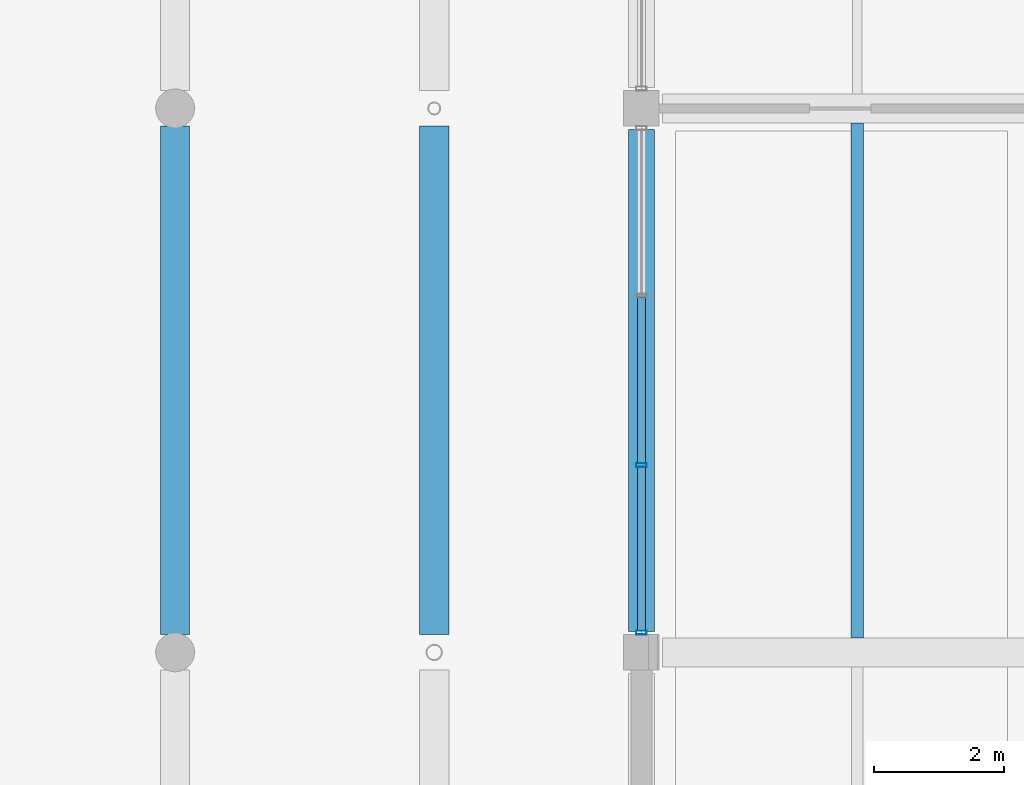
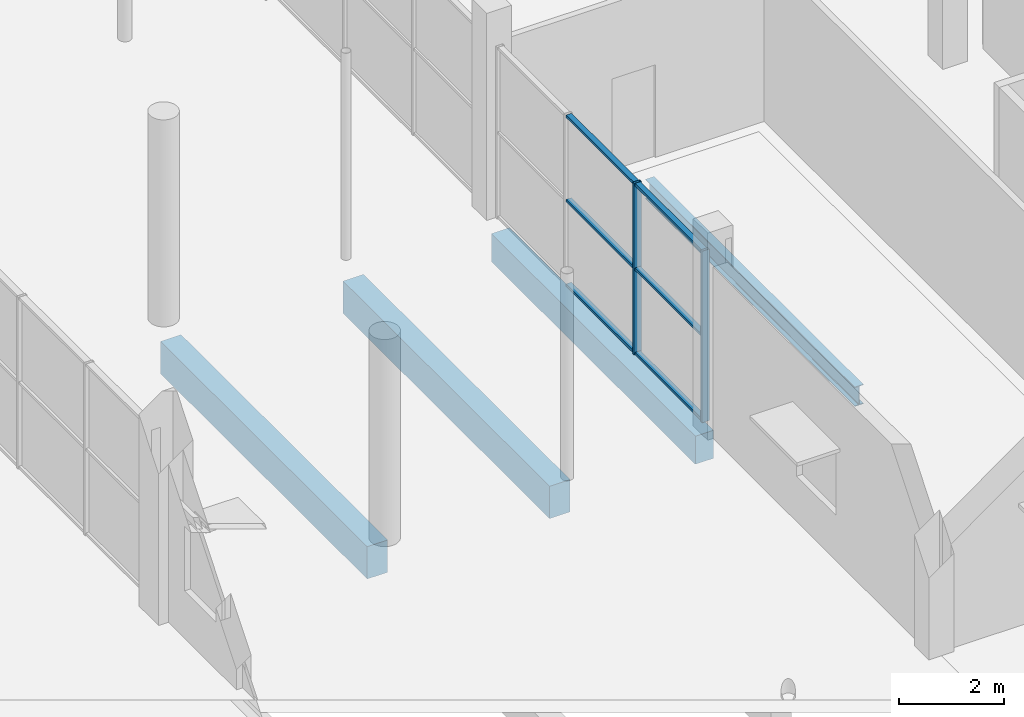
# One storey, part 64 of 130: 8 members, 4 beams, 1 element without a shape of its own.
"""IFC4 building model written with IfcOpenShell, lengths in metres."""

from ifc_helpers import new_model, si_unit, direction, frame, origin, origin_2d, place, context, subcontext, project, spatial, rectangle, hollow_rectangle, i_section, extrude, material, material_profile, profile_set, type_object, element, aggregate, save


model = new_model("IFC4")

# Units and contexts
model_context = context("Model", 3, precision=1e-05, world=origin(), true_north=direction((0.0, 1.0)))
body_context = subcontext(model_context, "Body", "Model", "MODEL_VIEW")
ifc_project = project(units=[si_unit("LENGTHUNIT", "METRE"), si_unit("AREAUNIT", "SQUARE_METRE"), si_unit("VOLUMEUNIT", "CUBIC_METRE"), si_unit("PLANEANGLEUNIT", "RADIAN"), si_unit("MASSUNIT", "GRAM", prefix="KILO"), si_unit("THERMODYNAMICTEMPERATUREUNIT", "KELVIN")], contexts=[model_context])

# Site, building, storey
site_placement = place(None, origin())
site = spatial("IfcSite", under=ifc_project, at=site_placement, CompositionType="ELEMENT")
building_placement = place(site_placement, origin())
building = spatial("IfcBuilding", under=site, at=building_placement, Name="Nduvali Passage Aquatics Centre", CompositionType="ELEMENT")
storey_placement = place(building_placement, origin())
storey = spatial("IfcBuildingStorey", under=building, at=storey_placement, Name="L00", CompositionType="ELEMENT", Elevation=0.0)

# Curtain wall, members
ifc_material_1 = material(Name="Aluminium EN AW-6063 T6", Category="aluminium")
curtain_wall_type = type_object("IfcCurtainWallType", Name="ENV-CW-FOYR", PredefinedType="NOTDEFINED", material=ifc_material_1)
curtain_wall_placement = place(storey_placement, origin())
curtain_wall = element("IfcCurtainWall", 1, at=curtain_wall_placement, inside=storey, type_object=curtain_wall_type, Name="L00 Passage Foyer Ground CW 069", PredefinedType="NOTDEFINED")
ifc_material_profile_1 = material_profile(ifc_material_1, hollow_rectangle(XDim=0.06005859375, YDim=0.159912109375, WallThickness=0.00390625, at=origin_2d()), Name="ALU MULLION 60x160x4")
ifc_profile_set_1 = profile_set([ifc_material_profile_1], Name="Aluminium EN AW-6063 T6")
member_type_1 = type_object("IfcMemberType", Name="ENV-MEM-MUL60", PredefinedType="MULLION", material=ifc_profile_set_1)
member_1_placement = place(storey_placement, frame((138.0, 33.905029296875, 0.0), z_axis=(0.0, 0.0, 1.0), x_axis=(0.0, 1.0, 0.0)))
member_1 = element("IfcMember", 2, at=member_1_placement, type_object=member_type_1, Name="Passage Foyer Ground CW Mullion 1", PredefinedType="MULLION", context=body_context, shape_type="SweptSolid", body=[
    extrude(hollow_rectangle(XDim=0.06005859375, YDim=0.159912109375, WallThickness=0.00390625, at=origin_2d()), origin(), (0.0, 0.0, 1.0), 3.976318359375),
])
member_2_placement = place(storey_placement, frame((138.0, 36.49169921875, 0.0), z_axis=(0.0, 0.0, 1.0), x_axis=(0.0, 1.0, 0.0)))
member_2 = element("IfcMember", 3, at=member_2_placement, type_object=member_type_1, Name="Passage Foyer Ground CW Mullion 2", PredefinedType="MULLION", context=body_context, shape_type="SweptSolid", body=[
    extrude(hollow_rectangle(XDim=0.06005859375, YDim=0.159912109375, WallThickness=0.00390625, at=origin_2d()), origin(), (0.0, 0.0, 1.0), 3.976318359375),
])
ifc_material_profile_2 = material_profile(ifc_material_1, hollow_rectangle(XDim=0.1201171875, YDim=0.06005859375, WallThickness=0.00390625, at=origin_2d()), Name="ALU TRANSOM 120x60x4")
ifc_profile_set_2 = profile_set([ifc_material_profile_2], Name="Aluminium EN AW-6063 T6")
member_type_2 = type_object("IfcMemberType", Name="ENV-MEM-TRN60", PredefinedType="USERDEFINED", material=ifc_profile_set_2)
member_3_placement = place(storey_placement, frame((138.0, 33.93505859375, 0.030029296875), z_axis=(0.0, 1.0, 0.0), x_axis=(-1.0, 0.0, 0.0)))
member_3 = element("IfcMember", 4, at=member_3_placement, type_object=member_type_2, Name="Passage Foyer Ground CW Transom B1-R0", ObjectType="TRANSOM", PredefinedType="USERDEFINED", context=body_context, shape_type="SweptSolid", body=[
    extrude(hollow_rectangle(XDim=0.1201171875, YDim=0.06005859375, WallThickness=0.00390625, at=origin_2d()), origin(), (0.0, 0.0, 1.0), 2.526611328125),
])
member_4_placement = place(storey_placement, frame((138.0, 33.93505859375, 1.98828125), z_axis=(0.0, 1.0, 0.0), x_axis=(-1.0, 0.0, 0.0)))
member_4 = element("IfcMember", 5, at=member_4_placement, type_object=member_type_2, Name="Passage Foyer Ground CW Transom B1-R1", ObjectType="TRANSOM", PredefinedType="USERDEFINED", context=body_context, shape_type="SweptSolid", body=[
    extrude(hollow_rectangle(XDim=0.1201171875, YDim=0.06005859375, WallThickness=0.00390625, at=origin_2d()), origin(), (0.0, 0.0, 1.0), 2.526611328125),
])
member_5_placement = place(storey_placement, frame((138.0, 33.93505859375, 3.9462890625), z_axis=(0.0, 1.0, 0.0), x_axis=(-1.0, 0.0, 0.0)))
member_5 = element("IfcMember", 6, at=member_5_placement, type_object=member_type_2, Name="Passage Foyer Ground CW Transom B1-R2", ObjectType="TRANSOM", PredefinedType="USERDEFINED", context=body_context, shape_type="SweptSolid", body=[
    extrude(hollow_rectangle(XDim=0.1201171875, YDim=0.06005859375, WallThickness=0.00390625, at=origin_2d()), origin(), (0.0, 0.0, 1.0), 2.526611328125),
])
member_6_placement = place(storey_placement, frame((138.0, 36.521728515625, 0.030029296875), z_axis=(0.0, 1.0, 0.0), x_axis=(-1.0, 0.0, 0.0)))
member_6 = element("IfcMember", 7, at=member_6_placement, type_object=member_type_2, Name="Passage Foyer Ground CW Transom B2-R0", ObjectType="TRANSOM", PredefinedType="USERDEFINED", context=body_context, shape_type="SweptSolid", body=[
    extrude(hollow_rectangle(XDim=0.1201171875, YDim=0.06005859375, WallThickness=0.00390625, at=origin_2d()), origin(), (0.0, 0.0, 1.0), 2.556640625),
])
member_7_placement = place(storey_placement, frame((138.0, 36.521728515625, 1.98828125), z_axis=(0.0, 1.0, 0.0), x_axis=(-1.0, 0.0, 0.0)))
member_7 = element("IfcMember", 8, at=member_7_placement, type_object=member_type_2, Name="Passage Foyer Ground CW Transom B2-R1", ObjectType="TRANSOM", PredefinedType="USERDEFINED", context=body_context, shape_type="SweptSolid", body=[
    extrude(hollow_rectangle(XDim=0.1201171875, YDim=0.06005859375, WallThickness=0.00390625, at=origin_2d()), origin(), (0.0, 0.0, 1.0), 2.556640625),
])
member_8_placement = place(storey_placement, frame((138.0, 36.521728515625, 3.9462890625), z_axis=(0.0, 1.0, 0.0), x_axis=(-1.0, 0.0, 0.0)))
member_8 = element("IfcMember", 9, at=member_8_placement, type_object=member_type_2, Name="Passage Foyer Ground CW Transom B2-R2", ObjectType="TRANSOM", PredefinedType="USERDEFINED", context=body_context, shape_type="SweptSolid", body=[
    extrude(hollow_rectangle(XDim=0.1201171875, YDim=0.06005859375, WallThickness=0.00390625, at=origin_2d()), origin(), (0.0, 0.0, 1.0), 2.556640625),
])
aggregate(curtain_wall, [member_1, member_2, member_3, member_4, member_5, member_6, member_7, member_8])

# Beams
ifc_material_2 = material(Name="Concrete C40/50", Category="concrete")
ifc_material_profile_3 = material_profile(ifc_material_2, rectangle(XDim=0.449951171875, YDim=0.75, at=origin_2d()), Name="RC 450x750")
ifc_profile_set_3 = profile_set([ifc_material_profile_3], Name="Concrete C40/50")
beam_type_1 = type_object("IfcBeamType", Name="STR-BM-RC4575", PredefinedType="BEAM", material=ifc_profile_set_3)
for number, where, z_axis, x_axis, name in (
    (10, (130.800048828125, 33.875, -0.675048828125), (0.0, 1.0, 0.0), (-1.0, 0.0, 0.0), "L00 Primary Y-Girder B3-0205"),
    (11, (134.800048828125, 33.875, -0.675048828125), (0.0, 1.0, 0.0), (-1.0, 0.0, 0.0), "L00 Primary Y-Girder B3-0216"),
):
    element("IfcBeam", number, at=place(storey_placement, frame(where, z_axis=z_axis, x_axis=x_axis)), inside=storey, type_object=beam_type_1, Name=name, PredefinedType="BEAM", context=body_context, shape_type="SweptSolid", body=[
        extrude(rectangle(XDim=0.449951171875, YDim=0.75, at=origin_2d()), origin(), (0.0, 0.0, 1.0), 7.85009765625),
    ])
ifc_material_3 = material(Name="Steel S355", Category="steel")
ifc_material_profile_4 = material_profile(ifc_material_3, i_section(OverallWidth=0.18994140625, OverallDepth=0.449951171875, WebThickness=0.009521484375, FlangeThickness=0.0146484375, FilletRadius=0.02099609375, at=origin_2d()), Name="IPE 450")
ifc_profile_set_4 = profile_set([ifc_material_profile_4], Name="Steel S355")
beam_type_2 = type_object("IfcBeamType", Name="STR-JST-IPE450", PredefinedType="JOIST", material=ifc_profile_set_4)
beam_1_placement = place(storey_placement, frame((141.333251953125, 33.824951171875, -0.529052734375), z_axis=(0.0, 1.0, 0.0), x_axis=(-1.0, 0.0, 0.0)))
element("IfcBeam", 12, at=beam_1_placement, inside=storey, type_object=beam_type_2, Name="L00 Secondary Joist J5B-0329", PredefinedType="JOIST", context=body_context, shape_type="SweptSolid", body=[
    extrude(i_section(OverallWidth=0.18994140625, OverallDepth=0.449951171875, WebThickness=0.009521484375, FlangeThickness=0.0146484375, FilletRadius=0.02099609375, at=origin_2d()), origin(), (0.0, 0.0, 1.0), 7.949951171875),
])
ifc_material_profile_5 = material_profile(ifc_material_2, rectangle(XDim=0.39990234375, YDim=0.64990234375, at=origin_2d()), Name="RC 400x650")
ifc_profile_set_5 = profile_set([ifc_material_profile_5], Name="Concrete C40/50")
beam_type_3 = type_object("IfcBeamType", Name="STR-SPN-RC4065-EXT", PredefinedType="SPANDREL", material=ifc_profile_set_5)
beam_2_placement = place(storey_placement, frame((138.0, 33.925048828125, -0.625), z_axis=(0.0, 1.0, 0.0), x_axis=(-1.0, 0.0, 0.0)))
element("IfcBeam", 13, at=beam_2_placement, inside=storey, type_object=beam_type_3, Name="L00 Primary Y-Girder SP1E-0224", PredefinedType="SPANDREL", context=body_context, shape_type="SweptSolid", body=[
    extrude(rectangle(XDim=0.39990234375, YDim=0.64990234375, at=origin_2d()), origin(), (0.0, 0.0, 1.0), 7.75),
])

save(model, "model.ifc")
